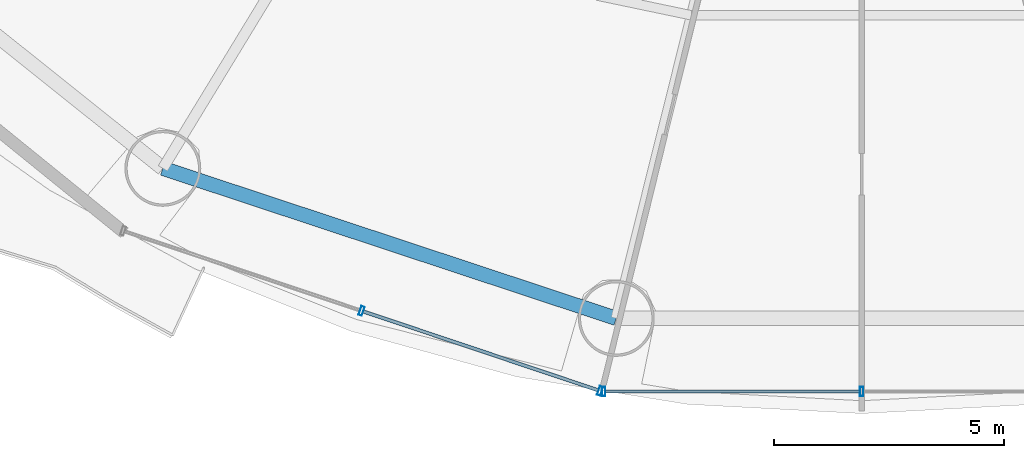
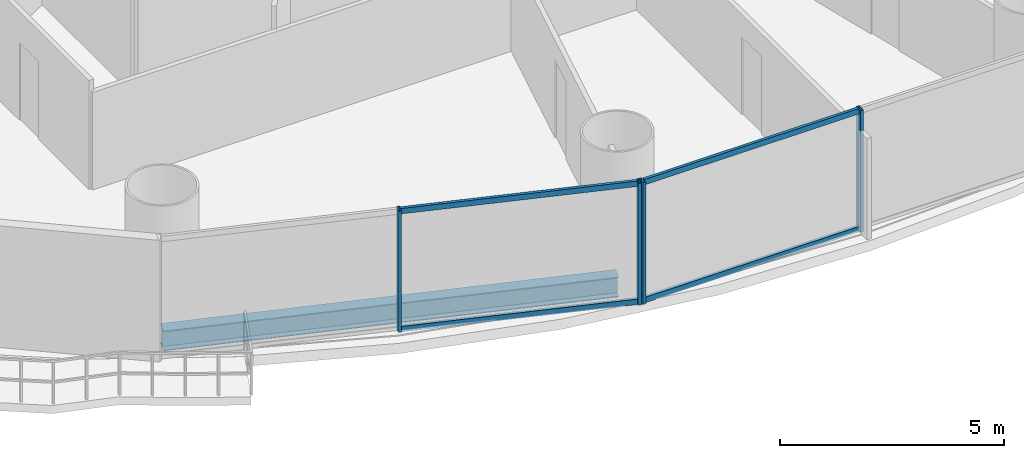
# One storey, part 5 of 30: 8 members, 1 beam, 2 elements without a shape of their own.
"""IFC4 building model written with IfcOpenShell, lengths in metres."""

import ifcopenshell
import ifcopenshell.guid

model = None  # the IFC model being written
_history = None  # IfcOwnerHistory: only IFC2X3 demands one
_inside = {}  # id of a spatial element -> (the spatial element, [elements in it])
_under = {}  # id of a project, library or spatial element -> (it, [spatial elements below it])
_declared = {}  # id of a project -> (the project, [libraries it declares])
_typed = {}  # id of a type object -> (the type object, [elements of that type])
_made_of = {}  # id of a material, layer set ... -> (it, [elements and type objects made of it])


def new_model(schema):
    """Start an empty IFC model of exactly this schema.

    Asked for "IFC4X3", IfcOpenShell would pick the latest addendum, in which some entities
    have other attributes; the version numbers below select the first issue.
    IFC2X3 requires an IfcOwnerHistory on every rooted entity: one is made here for all.
    """
    global model, _history
    if schema == "IFC4X3":
        model = ifcopenshell.file(schema_version=(4, 3, 0, 0))
    else:
        model = ifcopenshell.file(schema=schema)
    _inside.clear()
    _under.clear()
    _declared.clear()
    _typed.clear()
    _made_of.clear()
    _history = None
    if model.schema == "IFC2X3":
        org = make("IfcOrganization", Name="unknown")
        user = make(
            "IfcPersonAndOrganization",
            ThePerson=make("IfcPerson", FamilyName="unknown"),
            TheOrganization=org,
        )
        app = make(
            "IfcApplication",
            ApplicationDeveloper=org,
            Version="unknown",
            ApplicationFullName="unknown",
            ApplicationIdentifier="unknown",
        )
        _history = make(
            "IfcOwnerHistory",
            OwningUser=user,
            OwningApplication=app,
            ChangeAction="ADDED",
            CreationDate=0,
        )
    return model


def make(cls, **values):
    """One entity of the class cls with the attributes given. An attribute that is None is left unset."""
    return model.create_entity(
        cls, **{name: value for name, value in values.items() if value is not None}
    )


def rooted(cls, **values):
    """An entity with a GlobalId (a new one), such as an element, a storey or a relation."""
    return make(cls, GlobalId=ifcopenshell.guid.new(), OwnerHistory=_history, **values)


def si_unit(unit_type, name, prefix=None):
    """IfcSIUnit, for example si_unit("LENGTHUNIT", "METRE", prefix="MILLI")."""
    return make("IfcSIUnit", UnitType=unit_type, Prefix=prefix, Name=name)


def assignment(units):
    """IfcUnitAssignment: the units of a project."""
    return None if units is None else make("IfcUnitAssignment", Units=units)


def point(xyz):
    """IfcCartesianPoint."""
    return None if xyz is None else make("IfcCartesianPoint", Coordinates=xyz)


def direction(xyz):
    """IfcDirection."""
    return None if xyz is None else make("IfcDirection", DirectionRatios=xyz)


def frame(location, z_axis=None, x_axis=None):
    """IfcAxis2Placement3D, a coordinate frame: its origin and axes. An axis left out is left unset."""
    return make(
        "IfcAxis2Placement3D",
        Location=point(location),
        Axis=direction(z_axis),
        RefDirection=direction(x_axis),
    )


def frame_2d(location, x_axis=None):
    """IfcAxis2Placement2D, a coordinate frame in the plane: its origin and x axis."""
    return make(
        "IfcAxis2Placement2D", Location=point(location), RefDirection=direction(x_axis)
    )


def origin():
    """The frame at (0, 0, 0) with its axes left unset."""
    return frame((0.0, 0.0, 0.0))


def origin_2d():
    """The frame at (0, 0) in the plane with its x axis left unset."""
    return frame_2d((0.0, 0.0))


def place(relative_to, where):
    """IfcLocalPlacement: puts the frame where relative to a parent placement (None: the world)."""
    return make(
        "IfcLocalPlacement", PlacementRelTo=relative_to, RelativePlacement=where
    )


def context(
    kind, dimensions, precision=None, world=None, true_north=None, identifier=None
):
    """IfcGeometricRepresentationContext, for example the 3D "Model" context."""
    return make(
        "IfcGeometricRepresentationContext",
        ContextIdentifier=identifier,
        ContextType=kind,
        CoordinateSpaceDimension=dimensions,
        Precision=precision,
        WorldCoordinateSystem=world,
        TrueNorth=true_north,
    )


def subcontext(parent, identifier, kind, view, scale=None):
    """IfcGeometricRepresentationSubContext, for example "Body" below "Model"."""
    return make(
        "IfcGeometricRepresentationSubContext",
        ContextIdentifier=identifier,
        ContextType=kind,
        ParentContext=parent,
        TargetScale=scale,
        TargetView=view,
    )


def project(units=None, contexts=None):
    """IfcProject with its units and contexts."""
    return rooted(
        "IfcProject",
        Name="project",
        RepresentationContexts=contexts,
        UnitsInContext=assignment(units),
    )


def spatial(cls, under=None, at=None, **own):
    """A site, building, storey or space (cls), placed at a placement, below another one or the project."""
    s = rooted(cls, ObjectPlacement=at, **own)
    if under is not None:
        _under.setdefault(under.id(), (under, []))[1].append(s)
    return s


def profile(cls, at=None, kind="AREA", **sizes):
    """A parametric profile (cls). Its sizes go by their IFC names, for example OverallWidth=200.0."""
    return make(cls, ProfileType=kind, Position=at, **sizes)


def hollow_rectangle(**sizes):
    """IfcRectangleHollowProfileDef."""
    return profile("IfcRectangleHollowProfileDef", **sizes)


def i_section(**sizes):
    """IfcIShapeProfileDef."""
    return profile("IfcIShapeProfileDef", **sizes)


def extrude(swept, where, along, depth):
    """IfcExtrudedAreaSolid: the profile swept, set in the frame where, extruded along a direction by depth."""
    return make(
        "IfcExtrudedAreaSolid",
        SweptArea=swept,
        Position=where,
        ExtrudedDirection=direction(along),
        Depth=depth,
    )


def shape(context_of_items, identifier, shape_type, items):
    """IfcShapeRepresentation: the items that make up one representation, for example the "Body"."""
    return make(
        "IfcShapeRepresentation",
        ContextOfItems=context_of_items,
        RepresentationIdentifier=identifier,
        RepresentationType=shape_type,
        Items=items,
    )


def source(mapping_origin, context_of_items, identifier, shape_type, items):
    """IfcRepresentationMap: a shape defined once, which mapped items show again and again."""
    return make(
        "IfcRepresentationMap",
        MappingOrigin=mapping_origin,
        MappedRepresentation=shape(context_of_items, identifier, shape_type, items),
    )


def transform(
    local_origin,
    x_axis=None,
    y_axis=None,
    z_axis=None,
    scale=None,
    scale2=None,
    scale3=None,
    uniform=True,
):
    """IfcCartesianTransformationOperator3D, or its non-uniform kind. x_axis, y_axis, z_axis: its Axis1, 2, 3."""
    if uniform:
        return make(
            "IfcCartesianTransformationOperator3D",
            Axis1=direction(x_axis),
            Axis2=direction(y_axis),
            LocalOrigin=point(local_origin),
            Scale=scale,
            Axis3=direction(z_axis),
        )
    return make(
        "IfcCartesianTransformationOperator3DnonUniform",
        Axis1=direction(x_axis),
        Axis2=direction(y_axis),
        LocalOrigin=point(local_origin),
        Scale=scale,
        Axis3=direction(z_axis),
        Scale2=scale2,
        Scale3=scale3,
    )


def mapped(mapping_source, mapping_target):
    """IfcMappedItem: shows the shape of a source again, moved by a transform."""
    return make(
        "IfcMappedItem", MappingSource=mapping_source, MappingTarget=mapping_target
    )


def material(Name=None, Category=None):
    """IfcMaterial."""
    return make("IfcMaterial", Name=Name, Category=Category)


def material_profile(
    of_material, cross_section, Name=None, Category=None, Priority=None
):
    """IfcMaterialProfile: a cross section and its material."""
    return make(
        "IfcMaterialProfile",
        Name=Name,
        Material=of_material,
        Profile=cross_section,
        Priority=Priority,
        Category=Category,
    )


def profile_set(profiles, Name=None, composite=None):
    """IfcMaterialProfileSet."""
    return make(
        "IfcMaterialProfileSet",
        Name=Name,
        MaterialProfiles=profiles,
        CompositeProfile=composite,
    )


def made_of(thing, what):
    """Note that an element or type object is made of a material, layer set ...; save() writes the relation."""
    if what is not None:
        _made_of.setdefault(what.id(), (what, []))[1].append(thing)
    return thing


def type_object(cls, material=None, **own):
    """A type object (cls), such as IfcWallType, which elements share."""
    return made_of(rooted(cls, **own), material)


def element(
    cls,
    number,
    at=None,
    inside=None,
    cuts=None,
    type_object=None,
    material=None,
    context=None,
    identifier="Body",
    shape_type=None,
    held_by="IfcProductDefinitionShape",
    body=None,
    shapes=None,
    **own,
):
    """One element of the class cls, such as IfcWall. Its Tag is "e" and its number.

    at: its placement. inside: the storey or other place that contains it. cuts: it is an
    opening in that element (IfcRelVoidsElement). A single representation is given by context,
    identifier, shape_type and body (its items); several are given by shapes. held_by: the class
    of the entity that holds the representations. save() writes the other relations.
    """
    e = rooted(cls, Tag="e%d" % number, ObjectPlacement=at, **own)
    if body is not None:
        shapes = [shape(context, identifier, shape_type, body)]
    if shapes is not None:
        e.Representation = make(held_by, Representations=shapes)
    if inside is not None:
        _inside.setdefault(inside.id(), (inside, []))[1].append(e)
    if cuts is not None:
        rooted(
            "IfcRelVoidsElement", RelatingBuildingElement=cuts, RelatedOpeningElement=e
        )
    if type_object is not None:
        _typed.setdefault(type_object.id(), (type_object, []))[1].append(e)
    return made_of(e, material)


def aggregate(whole, parts):
    """IfcRelAggregates: a whole, such as a stair, and the parts it consists of."""
    return rooted("IfcRelAggregates", RelatingObject=whole, RelatedObjects=parts)


def save(model, path):
    """Write the relations noted so far, then the file.

    IfcRelAggregates (storeys below a building ...), IfcRelContainedInSpatialStructure (elements
    in a storey), IfcRelDefinesByType, IfcRelAssociatesMaterial and IfcRelDeclares: one each for
    every whole, place, type object, material and project.
    """
    for whole, parts in _under.values():
        aggregate(whole, parts)
    for where, things in _inside.values():
        rooted(
            "IfcRelContainedInSpatialStructure",
            RelatedElements=things,
            RelatingStructure=where,
        )
    for kind, things in _typed.values():
        rooted("IfcRelDefinesByType", RelatedObjects=things, RelatingType=kind)
    for what, things in _made_of.values():
        rooted("IfcRelAssociatesMaterial", RelatedObjects=things, RelatingMaterial=what)
    for by, libraries in _declared.values():
        rooted("IfcRelDeclares", RelatingContext=by, RelatedDefinitions=libraries)
    model.write(path)


model = new_model("IFC4")

# Units and contexts
model_context = context("Model", 3, precision=1e-05, world=origin(), true_north=direction((-0.2419218956, 0.970295726276)))
body_context = subcontext(model_context, "Body", "Model", "MODEL_VIEW")
ifc_project = project(units=[si_unit("LENGTHUNIT", "METRE"), si_unit("AREAUNIT", "SQUARE_METRE"), si_unit("VOLUMEUNIT", "CUBIC_METRE"), si_unit("PLANEANGLEUNIT", "RADIAN"), si_unit("MASSUNIT", "GRAM", prefix="KILO")], contexts=[model_context])

# Site, building, storey
site_placement = place(None, origin())
site = spatial("IfcSite", under=ifc_project, at=site_placement, CompositionType="ELEMENT")
building_placement = place(site_placement, origin())
building = spatial("IfcBuilding", under=site, at=building_placement, Name="Cobrevalo Terracotta Tower", CompositionType="ELEMENT")
storey_placement = place(building_placement, frame((0.0, 0.0, 56.39990234375)))
storey = spatial("IfcBuildingStorey", under=building, at=storey_placement, Name="L14", CompositionType="ELEMENT", Elevation=56.39990234375)

# Beam
ifc_material_1 = material(Name="Steel S355", Category="steel")
ifc_material_profile_1 = material_profile(ifc_material_1, i_section(OverallWidth=0.31201171875, OverallDepth=0.54296875, WebThickness=0.0126953125, FlangeThickness=0.020263671875, at=origin_2d()), Name="W 530x150")
ifc_profile_set_1 = profile_set([ifc_material_profile_1], Name="Steel S355")
beam_type = type_object("IfcBeamType", Name="Structural Spandrel W 530x150 (Steel S355)", PredefinedType="SPANDREL", material=ifc_profile_set_1)
beam_placement = place(storey_placement, frame((22.80517578125, 8.63232421875, -0.551513671875), z_axis=(0.949372202648, -0.314153498848, 0.0), x_axis=(0.314153498848, 0.949372202648, 0.0)))
element("IfcBeam", 1, at=beam_placement, inside=storey, type_object=beam_type, Name="L14 perimeter ring spandrel 11", PredefinedType="SPANDREL", context=body_context, shape_type="SweptSolid", body=[
    extrude(i_section(OverallWidth=0.31201171875, OverallDepth=0.54296875, WebThickness=0.0126953125, FlangeThickness=0.020263671875, at=origin_2d()), origin(), (0.0, 0.0, 1.0), 10.385009765625),
])

# Curtain wall, members
ifc_material_2 = material(Name="Anodized aluminium", Category="aluminium")
curtain_wall_type = type_object("IfcCurtainWallType", Name="Lower-tower unitised acoustic low-E curtain wall CW-U1", PredefinedType="NOTDEFINED", material=ifc_material_2)
curtain_wall_1_placement = place(storey_placement, origin())
curtain_wall_1 = element("IfcCurtainWall", 2, at=curtain_wall_1_placement, inside=storey, type_object=curtain_wall_type, Name="L14 curtain wall CW-L14-S11", PredefinedType="NOTDEFINED")
ifc_material_profile_2 = material_profile(ifc_material_2, hollow_rectangle(XDim=0.074951171875, YDim=0.199951171875, WallThickness=0.0048828125, at=origin_2d()), Name="CWM 75x200")
ifc_profile_set_2 = profile_set([ifc_material_profile_2], Name="Anodized aluminium")
member_type_1 = type_object("IfcMemberType", Name="Lower/mid tower unitised mullion 75x200", PredefinedType="MULLION", material=ifc_profile_set_2)
shared_shape_1 = source(origin(), body_context, "Body", "SweptSolid", [
    extrude(hollow_rectangle(XDim=0.074951171875, YDim=0.199951171875, WallThickness=0.0048828125, at=origin_2d()), origin(), (0.0, 0.0, 1.0), 3.320068359375),
])
member_1_placement = place(storey_placement, frame((27.126708984375, 5.533203125, 0.0), z_axis=(0.0, 0.0, 1.0), x_axis=(0.948046393597, -0.318132103987, 0.0)))
member_1 = element("IfcMember", 3, at=member_1_placement, type_object=member_type_1, Name="CW-L14-S11 vertical mullion 02", PredefinedType="MULLION", context=body_context, shape_type="MappedRepresentation", body=[
    mapped(shared_shape_1, transform((0.0, 0.0, 0.0), scale=1.0)),
])
member_2_placement = place(storey_placement, frame((32.310302734375, 3.793701171875, 0.0), z_axis=(0.0, 0.0, 1.0), x_axis=(0.948046393597, -0.318132103987, 0.0)))
member_2 = element("IfcMember", 4, at=member_2_placement, type_object=member_type_1, Name="CW-L14-S11 vertical mullion 03", PredefinedType="MULLION", context=body_context, shape_type="MappedRepresentation", body=[
    mapped(shared_shape_1, transform((0.0, 0.0, 0.0), scale=1.0)),
])

curtain_wall_2_placement = place(storey_placement, origin())
curtain_wall_2 = element("IfcCurtainWall", 5, at=curtain_wall_2_placement, inside=storey, type_object=curtain_wall_type, Name="L14 curtain wall CW-L14-S12", PredefinedType="NOTDEFINED")
member_3_placement = place(storey_placement, frame((32.38818359375, 3.781005859375, 0.0), z_axis=(0.0, 0.0, 1.0), x_axis=(1.0, 0.0, 0.0)))
member_3 = element("IfcMember", 6, at=member_3_placement, type_object=member_type_1, Name="CW-L14-S12 vertical mullion 01", PredefinedType="MULLION", context=body_context, shape_type="MappedRepresentation", body=[
    mapped(shared_shape_1, transform((0.0, 0.0, 0.0), scale=1.0)),
])
member_4_placement = place(storey_placement, frame((38.0, 3.781005859375, 0.0), z_axis=(0.0, 0.0, 1.0), x_axis=(1.0, 0.0, 0.0)))
member_4 = element("IfcMember", 7, at=member_4_placement, type_object=member_type_1, Name="CW-L14-S12 vertical mullion 02", PredefinedType="MULLION", context=body_context, shape_type="MappedRepresentation", body=[
    mapped(shared_shape_1, transform((0.0, 0.0, 0.0), scale=1.0)),
])

# Member
ifc_material_profile_3 = material_profile(ifc_material_2, hollow_rectangle(XDim=0.074951171875, YDim=0.14990234375, WallThickness=0.00439453125, at=origin_2d()), Name="CWT 75x150")
ifc_profile_set_3 = profile_set([ifc_material_profile_3], Name="Anodized aluminium")
member_type_2 = type_object("IfcMemberType", Name="Tower unitised aluminium transom 75x150", PredefinedType="USERDEFINED", material=ifc_profile_set_3)
shared_shape_2 = source(origin(), body_context, "Body", "SweptSolid", [
    extrude(hollow_rectangle(XDim=0.074951171875, YDim=0.14990234375, WallThickness=0.00439453125, at=origin_2d()), origin(), (0.0, 0.0, 1.0), 5.387939453125),
])
member_5_placement = place(storey_placement, frame((27.16455078125, 5.5205078125, 0.050048828125), z_axis=(0.94804244582, -0.318143868278, 0.0), x_axis=(0.318143868278, 0.94804244582, 0.0)))
member_5 = element("IfcMember", 8, at=member_5_placement, type_object=member_type_2, Name="CW-L14-S11 transom B02-T1", ObjectType="TRANSOM", PredefinedType="USERDEFINED", context=body_context, shape_type="MappedRepresentation", body=[
    mapped(shared_shape_2, transform((0.0, 0.0, 0.0), scale=1.0)),
])

member_6_placement = place(storey_placement, frame((27.16455078125, 5.5205078125, 3.27001953125), z_axis=(0.94804244582, -0.318143868278, 0.0), x_axis=(0.318143868278, 0.94804244582, 0.0)))
member_6 = element("IfcMember", 9, at=member_6_placement, type_object=member_type_2, Name="CW-L14-S11 transom B02-T2", ObjectType="TRANSOM", PredefinedType="USERDEFINED", context=body_context, shape_type="MappedRepresentation", body=[
    mapped(shared_shape_2, transform((0.0, 0.0, 0.0), scale=1.0)),
])

aggregate(curtain_wall_1, [member_1, member_2, member_5, member_6])

shared_shape_3 = source(origin(), body_context, "Body", "SweptSolid", [
    extrude(hollow_rectangle(XDim=0.074951171875, YDim=0.14990234375, WallThickness=0.00439453125, at=origin_2d()), origin(), (0.0, 0.0, 1.0), 5.53173828125),
])
member_7_placement = place(storey_placement, frame((32.42822265625, 3.781005859375, 0.050048828125), z_axis=(1.0, 0.0, 0.0), x_axis=(0.0, 1.0, 0.0)))
member_7 = element("IfcMember", 10, at=member_7_placement, type_object=member_type_2, Name="CW-L14-S12 transom B01-T1", ObjectType="TRANSOM", PredefinedType="USERDEFINED", context=body_context, shape_type="MappedRepresentation", body=[
    mapped(shared_shape_3, transform((0.0, 0.0, 0.0), scale=1.0)),
])

member_8_placement = place(storey_placement, frame((32.42822265625, 3.781005859375, 3.27001953125), z_axis=(1.0, 0.0, 0.0), x_axis=(0.0, 1.0, 0.0)))
member_8 = element("IfcMember", 11, at=member_8_placement, type_object=member_type_2, Name="CW-L14-S12 transom B01-T2", ObjectType="TRANSOM", PredefinedType="USERDEFINED", context=body_context, shape_type="MappedRepresentation", body=[
    mapped(shared_shape_3, transform((0.0, 0.0, 0.0), scale=1.0)),
])

aggregate(curtain_wall_2, [member_3, member_4, member_7, member_8])

save(model, "model.ifc")
